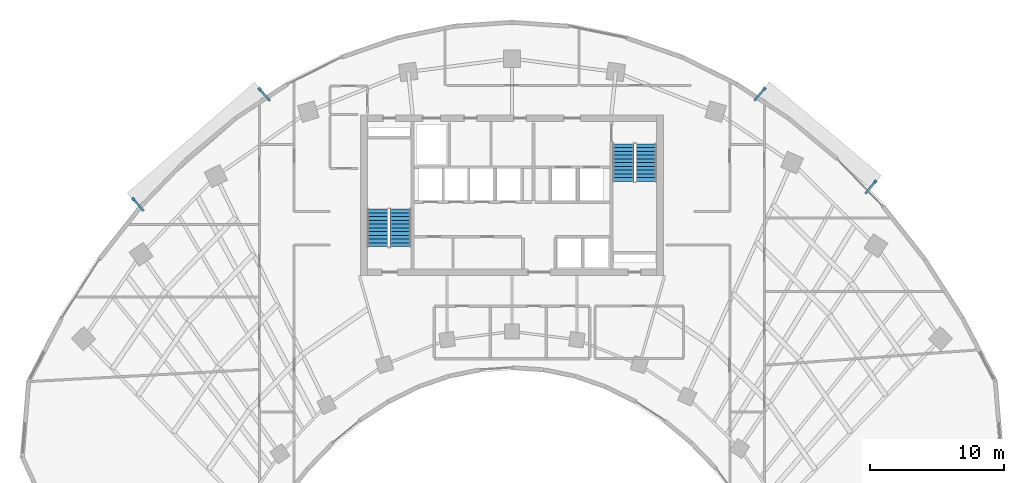
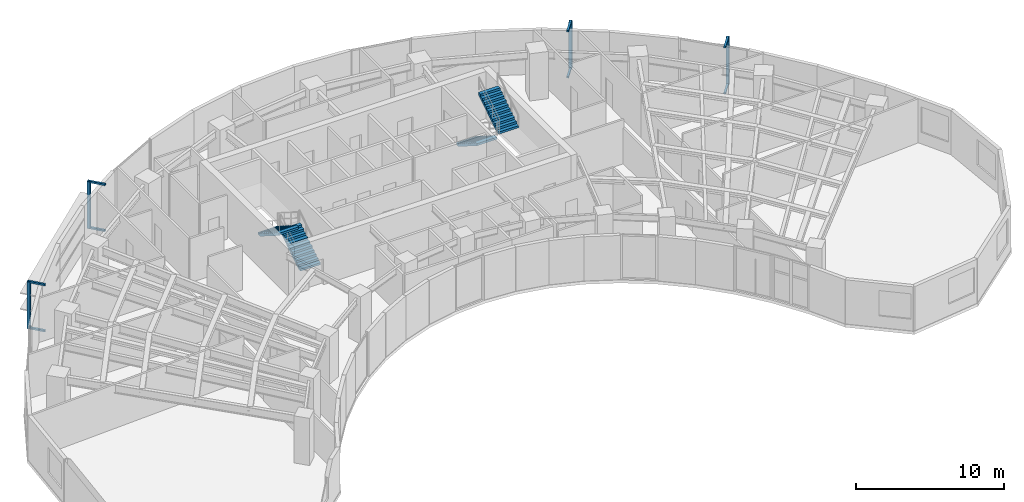
# One storey, part 12 of 14: 12 discrete accessories, 4 stair flights, 2 elements without a shape of their own.
"""IFC4 building model written with IfcOpenShell, lengths in metres."""

import ifcopenshell
import ifcopenshell.guid

model = None  # the IFC model being written
_history = None  # IfcOwnerHistory: only IFC2X3 demands one
_inside = {}  # id of a spatial element -> (the spatial element, [elements in it])
_under = {}  # id of a project, library or spatial element -> (it, [spatial elements below it])
_declared = {}  # id of a project -> (the project, [libraries it declares])
_typed = {}  # id of a type object -> (the type object, [elements of that type])
_made_of = {}  # id of a material, layer set ... -> (it, [elements and type objects made of it])


def new_model(schema):
    """Start an empty IFC model of exactly this schema.

    Asked for "IFC4X3", IfcOpenShell would pick the latest addendum, in which some entities
    have other attributes; the version numbers below select the first issue.
    IFC2X3 requires an IfcOwnerHistory on every rooted entity: one is made here for all.
    """
    global model, _history
    if schema == "IFC4X3":
        model = ifcopenshell.file(schema_version=(4, 3, 0, 0))
    else:
        model = ifcopenshell.file(schema=schema)
    _inside.clear()
    _under.clear()
    _declared.clear()
    _typed.clear()
    _made_of.clear()
    _history = None
    if model.schema == "IFC2X3":
        org = make("IfcOrganization", Name="unknown")
        user = make(
            "IfcPersonAndOrganization",
            ThePerson=make("IfcPerson", FamilyName="unknown"),
            TheOrganization=org,
        )
        app = make(
            "IfcApplication",
            ApplicationDeveloper=org,
            Version="unknown",
            ApplicationFullName="unknown",
            ApplicationIdentifier="unknown",
        )
        _history = make(
            "IfcOwnerHistory",
            OwningUser=user,
            OwningApplication=app,
            ChangeAction="ADDED",
            CreationDate=0,
        )
    return model


def make(cls, **values):
    """One entity of the class cls with the attributes given. An attribute that is None is left unset."""
    return model.create_entity(
        cls, **{name: value for name, value in values.items() if value is not None}
    )


def rooted(cls, **values):
    """An entity with a GlobalId (a new one), such as an element, a storey or a relation."""
    return make(cls, GlobalId=ifcopenshell.guid.new(), OwnerHistory=_history, **values)


def si_unit(unit_type, name, prefix=None):
    """IfcSIUnit, for example si_unit("LENGTHUNIT", "METRE", prefix="MILLI")."""
    return make("IfcSIUnit", UnitType=unit_type, Prefix=prefix, Name=name)


def assignment(units):
    """IfcUnitAssignment: the units of a project."""
    return None if units is None else make("IfcUnitAssignment", Units=units)


def point(xyz):
    """IfcCartesianPoint."""
    return None if xyz is None else make("IfcCartesianPoint", Coordinates=xyz)


def direction(xyz):
    """IfcDirection."""
    return None if xyz is None else make("IfcDirection", DirectionRatios=xyz)


def frame(location, z_axis=None, x_axis=None):
    """IfcAxis2Placement3D, a coordinate frame: its origin and axes. An axis left out is left unset."""
    return make(
        "IfcAxis2Placement3D",
        Location=point(location),
        Axis=direction(z_axis),
        RefDirection=direction(x_axis),
    )


def frame_2d(location, x_axis=None):
    """IfcAxis2Placement2D, a coordinate frame in the plane: its origin and x axis."""
    return make(
        "IfcAxis2Placement2D", Location=point(location), RefDirection=direction(x_axis)
    )


def origin():
    """The frame at (0, 0, 0) with its axes left unset."""
    return frame((0.0, 0.0, 0.0))


def origin_2d():
    """The frame at (0, 0) in the plane with its x axis left unset."""
    return frame_2d((0.0, 0.0))


def place(relative_to, where):
    """IfcLocalPlacement: puts the frame where relative to a parent placement (None: the world)."""
    return make(
        "IfcLocalPlacement", PlacementRelTo=relative_to, RelativePlacement=where
    )


def context(
    kind, dimensions, precision=None, world=None, true_north=None, identifier=None
):
    """IfcGeometricRepresentationContext, for example the 3D "Model" context."""
    return make(
        "IfcGeometricRepresentationContext",
        ContextIdentifier=identifier,
        ContextType=kind,
        CoordinateSpaceDimension=dimensions,
        Precision=precision,
        WorldCoordinateSystem=world,
        TrueNorth=true_north,
    )


def subcontext(parent, identifier, kind, view, scale=None):
    """IfcGeometricRepresentationSubContext, for example "Body" below "Model"."""
    return make(
        "IfcGeometricRepresentationSubContext",
        ContextIdentifier=identifier,
        ContextType=kind,
        ParentContext=parent,
        TargetScale=scale,
        TargetView=view,
    )


def project(units=None, contexts=None):
    """IfcProject with its units and contexts."""
    return rooted(
        "IfcProject",
        Name="project",
        RepresentationContexts=contexts,
        UnitsInContext=assignment(units),
    )


def spatial(cls, under=None, at=None, **own):
    """A site, building, storey or space (cls), placed at a placement, below another one or the project."""
    s = rooted(cls, ObjectPlacement=at, **own)
    if under is not None:
        _under.setdefault(under.id(), (under, []))[1].append(s)
    return s


def polyline(points):
    """IfcPolyline through the points."""
    return make("IfcPolyline", Points=[point(p) for p in points])


def profile(cls, at=None, kind="AREA", **sizes):
    """A parametric profile (cls). Its sizes go by their IFC names, for example OverallWidth=200.0."""
    return make(cls, ProfileType=kind, Position=at, **sizes)


def rectangle(**sizes):
    """IfcRectangleProfileDef."""
    return profile("IfcRectangleProfileDef", **sizes)


def outline(outer, holes=None, kind="AREA"):
    """IfcArbitraryClosedProfileDef: a profile drawn as a closed curve; with holes, ...WithVoids."""
    if holes is None:
        return make("IfcArbitraryClosedProfileDef", ProfileType=kind, OuterCurve=outer)
    return make(
        "IfcArbitraryProfileDefWithVoids",
        ProfileType=kind,
        OuterCurve=outer,
        InnerCurves=holes,
    )


def extrude(swept, where, along, depth):
    """IfcExtrudedAreaSolid: the profile swept, set in the frame where, extruded along a direction by depth."""
    return make(
        "IfcExtrudedAreaSolid",
        SweptArea=swept,
        Position=where,
        ExtrudedDirection=direction(along),
        Depth=depth,
    )


def shape(context_of_items, identifier, shape_type, items):
    """IfcShapeRepresentation: the items that make up one representation, for example the "Body"."""
    return make(
        "IfcShapeRepresentation",
        ContextOfItems=context_of_items,
        RepresentationIdentifier=identifier,
        RepresentationType=shape_type,
        Items=items,
    )


def source(mapping_origin, context_of_items, identifier, shape_type, items):
    """IfcRepresentationMap: a shape defined once, which mapped items show again and again."""
    return make(
        "IfcRepresentationMap",
        MappingOrigin=mapping_origin,
        MappedRepresentation=shape(context_of_items, identifier, shape_type, items),
    )


def transform(
    local_origin,
    x_axis=None,
    y_axis=None,
    z_axis=None,
    scale=None,
    scale2=None,
    scale3=None,
    uniform=True,
):
    """IfcCartesianTransformationOperator3D, or its non-uniform kind. x_axis, y_axis, z_axis: its Axis1, 2, 3."""
    if uniform:
        return make(
            "IfcCartesianTransformationOperator3D",
            Axis1=direction(x_axis),
            Axis2=direction(y_axis),
            LocalOrigin=point(local_origin),
            Scale=scale,
            Axis3=direction(z_axis),
        )
    return make(
        "IfcCartesianTransformationOperator3DnonUniform",
        Axis1=direction(x_axis),
        Axis2=direction(y_axis),
        LocalOrigin=point(local_origin),
        Scale=scale,
        Axis3=direction(z_axis),
        Scale2=scale2,
        Scale3=scale3,
    )


def mapped(mapping_source, mapping_target):
    """IfcMappedItem: shows the shape of a source again, moved by a transform."""
    return make(
        "IfcMappedItem", MappingSource=mapping_source, MappingTarget=mapping_target
    )


def material(Name=None, Category=None):
    """IfcMaterial."""
    return make("IfcMaterial", Name=Name, Category=Category)


def made_of(thing, what):
    """Note that an element or type object is made of a material, layer set ...; save() writes the relation."""
    if what is not None:
        _made_of.setdefault(what.id(), (what, []))[1].append(thing)
    return thing


def type_object(cls, material=None, **own):
    """A type object (cls), such as IfcWallType, which elements share."""
    return made_of(rooted(cls, **own), material)


def type_shapes(of_type, sources):
    """Give a type object the sources (RepresentationMaps) that its elements show as mapped items."""
    of_type.RepresentationMaps = sources


def element(
    cls,
    number,
    at=None,
    inside=None,
    cuts=None,
    type_object=None,
    material=None,
    context=None,
    identifier="Body",
    shape_type=None,
    held_by="IfcProductDefinitionShape",
    body=None,
    shapes=None,
    **own,
):
    """One element of the class cls, such as IfcWall. Its Tag is "e" and its number.

    at: its placement. inside: the storey or other place that contains it. cuts: it is an
    opening in that element (IfcRelVoidsElement). A single representation is given by context,
    identifier, shape_type and body (its items); several are given by shapes. held_by: the class
    of the entity that holds the representations. save() writes the other relations.
    """
    e = rooted(cls, Tag="e%d" % number, ObjectPlacement=at, **own)
    if body is not None:
        shapes = [shape(context, identifier, shape_type, body)]
    if shapes is not None:
        e.Representation = make(held_by, Representations=shapes)
    if inside is not None:
        _inside.setdefault(inside.id(), (inside, []))[1].append(e)
    if cuts is not None:
        rooted(
            "IfcRelVoidsElement", RelatingBuildingElement=cuts, RelatedOpeningElement=e
        )
    if type_object is not None:
        _typed.setdefault(type_object.id(), (type_object, []))[1].append(e)
    return made_of(e, material)


def aggregate(whole, parts):
    """IfcRelAggregates: a whole, such as a stair, and the parts it consists of."""
    return rooted("IfcRelAggregates", RelatingObject=whole, RelatedObjects=parts)


def save(model, path):
    """Write the relations noted so far, then the file.

    IfcRelAggregates (storeys below a building ...), IfcRelContainedInSpatialStructure (elements
    in a storey), IfcRelDefinesByType, IfcRelAssociatesMaterial and IfcRelDeclares: one each for
    every whole, place, type object, material and project.
    """
    for whole, parts in _under.values():
        aggregate(whole, parts)
    for where, things in _inside.values():
        rooted(
            "IfcRelContainedInSpatialStructure",
            RelatedElements=things,
            RelatingStructure=where,
        )
    for kind, things in _typed.values():
        rooted("IfcRelDefinesByType", RelatedObjects=things, RelatingType=kind)
    for what, things in _made_of.values():
        rooted("IfcRelAssociatesMaterial", RelatedObjects=things, RelatingMaterial=what)
    for by, libraries in _declared.values():
        rooted("IfcRelDeclares", RelatingContext=by, RelatedDefinitions=libraries)
    model.write(path)


model = new_model("IFC4")

# Units and contexts
model_context = context("Model", 3, precision=1e-05, world=origin(), true_north=direction((0.0, 1.0)))
body_context = subcontext(model_context, "Body", "Model", "MODEL_VIEW")
ifc_project = project(units=[si_unit("LENGTHUNIT", "METRE"), si_unit("AREAUNIT", "SQUARE_METRE"), si_unit("VOLUMEUNIT", "CUBIC_METRE"), si_unit("PLANEANGLEUNIT", "RADIAN"), si_unit("MASSUNIT", "GRAM", prefix="KILO")], contexts=[model_context])

# Site, building, storey
site_placement = place(None, origin())
site = spatial("IfcSite", under=ifc_project, at=site_placement, CompositionType="ELEMENT")
building_placement = place(site_placement, origin())
building = spatial("IfcBuilding", under=site, at=building_placement, Name="Breltana Convention Tower", CompositionType="ELEMENT")
storey_placement = place(building_placement, frame((0.0, 0.0, 103.800048828125)))
storey = spatial("IfcBuildingStorey", under=building, at=storey_placement, Name="L24", CompositionType="ELEMENT", Elevation=103.800048828125)

# Stair, stair flights
ifc_material_1 = material(Name="Concrete C40/50", Category="concrete")
stair_type = type_object("IfcStairType", Name="ST-DOG-1560-R177", PredefinedType="HALF_TURN_STAIR", material=ifc_material_1)
stair_1_placement = place(storey_placement, origin())
stair_1 = element("IfcStair", 1, at=stair_1_placement, inside=storey, type_object=stair_type, Name="L24 Protected Core Exit Stair ST-1", PredefinedType="HALF_TURN_STAIR")
stair_flight_type = type_object("IfcStairFlightType", Name="STF-DOG-1560-N11-R177", PredefinedType="STRAIGHT", material=ifc_material_1)
stair_flight_1_placement = place(storey_placement, frame((39.68994140625, 62.360107421875, 0.0), z_axis=(0.0, 0.0, 1.0), x_axis=(0.0, 1.0, 0.0)))
stair_flight_1 = element("IfcStairFlight", 2, at=stair_flight_1_placement, type_object=stair_flight_type, Name="ST-1 flight 1", NumberOfRisers=11, NumberOfTreads=10, PredefinedType="STRAIGHT", RiserHeight=0.177272727, TreadLength=0.28, context=body_context, shape_type="SweptSolid", body=[
    extrude(outline(polyline([(0.0, 0.0), (0.0, 0.17724609375), (0.280029296875, 0.17724609375), (0.280029296875, 0.3544921875), (0.56005859375, 0.3544921875), (0.56005859375, 0.53173828125), (0.840087890625, 0.53173828125), (0.840087890625, 0.708984375), (1.1201171875, 0.708984375), (1.1201171875, 0.886474609375), (1.39990234375, 0.886474609375), (1.39990234375, 1.063720703125), (1.679931640625, 1.063720703125), (1.679931640625, 1.240966796875), (1.9599609375, 1.240966796875), (1.9599609375, 1.418212890625), (2.239990234375, 1.418212890625), (2.239990234375, 1.595458984375), (2.52001953125, 1.595458984375), (2.52001953125, 1.772705078125), (2.800048828125, 1.772705078125), (2.800048828125, 1.949951171875), (2.800048828125, 1.59521484375), (0.2802734375, 0.0), (0.0, 0.0)])), frame((0.0, 0.780029296875, 0.0), z_axis=(0.0, -1.0, 0.0), x_axis=(1.0, 0.0, 0.0)), (0.0, 0.0, 1.0), 1.56005859375),
])
stair_flight_2_placement = place(storey_placement, frame((37.97998046875, 65.159912109375, 1.949951171875), z_axis=(0.0, 0.0, 1.0), x_axis=(0.0, -1.0, 0.0)))
stair_flight_2 = element("IfcStairFlight", 3, at=stair_flight_2_placement, type_object=stair_flight_type, Name="ST-1 flight 2", NumberOfRisers=11, NumberOfTreads=10, PredefinedType="STRAIGHT", RiserHeight=0.177272727, TreadLength=0.28, context=body_context, shape_type="SweptSolid", body=[
    extrude(outline(polyline([(0.0, 0.0), (0.0, 0.17724609375), (0.280029296875, 0.17724609375), (0.280029296875, 0.3544921875), (0.56005859375, 0.3544921875), (0.56005859375, 0.53173828125), (0.840087890625, 0.53173828125), (0.840087890625, 0.708984375), (1.1201171875, 0.708984375), (1.1201171875, 0.886474609375), (1.39990234375, 0.886474609375), (1.39990234375, 1.063720703125), (1.679931640625, 1.063720703125), (1.679931640625, 1.240966796875), (1.9599609375, 1.240966796875), (1.9599609375, 1.418212890625), (2.239990234375, 1.418212890625), (2.239990234375, 1.595458984375), (2.52001953125, 1.595458984375), (2.52001953125, 1.772705078125), (2.800048828125, 1.772705078125), (2.800048828125, 1.949951171875), (2.800048828125, 1.59521484375), (0.2802734375, 0.0), (0.0, 0.0)])), frame((0.0, 0.780029296875, 0.0), z_axis=(0.0, -1.0, 0.0), x_axis=(1.0, 0.0, 0.0)), (0.0, 0.0, 1.0), 1.56005859375),
])
aggregate(stair_1, [stair_flight_1, stair_flight_2])

stair_2_placement = place(storey_placement, origin())
stair_2 = element("IfcStair", 4, at=stair_2_placement, inside=storey, type_object=stair_type, Name="L24 Protected Core Exit Stair ST-2", PredefinedType="HALF_TURN_STAIR")
stair_flight_3_placement = place(storey_placement, frame((56.31005859375, 70.0400390625, 0.0), z_axis=(0.0, 0.0, 1.0), x_axis=(0.0, -1.0, 0.0)))
stair_flight_3 = element("IfcStairFlight", 5, at=stair_flight_3_placement, type_object=stair_flight_type, Name="ST-2 flight 1", NumberOfRisers=11, NumberOfTreads=10, PredefinedType="STRAIGHT", RiserHeight=0.177272727, TreadLength=0.28, context=body_context, shape_type="SweptSolid", body=[
    extrude(outline(polyline([(0.0, 0.0), (0.0, 0.17724609375), (0.280029296875, 0.17724609375), (0.280029296875, 0.3544921875), (0.56005859375, 0.3544921875), (0.56005859375, 0.53173828125), (0.840087890625, 0.53173828125), (0.840087890625, 0.708984375), (1.1201171875, 0.708984375), (1.1201171875, 0.886474609375), (1.39990234375, 0.886474609375), (1.39990234375, 1.063720703125), (1.679931640625, 1.063720703125), (1.679931640625, 1.240966796875), (1.9599609375, 1.240966796875), (1.9599609375, 1.418212890625), (2.239990234375, 1.418212890625), (2.239990234375, 1.595458984375), (2.52001953125, 1.595458984375), (2.52001953125, 1.772705078125), (2.800048828125, 1.772705078125), (2.800048828125, 1.949951171875), (2.800048828125, 1.59521484375), (0.2802734375, 0.0), (0.0, 0.0)])), frame((0.0, 0.780029296875, 0.0), z_axis=(0.0, -1.0, 0.0), x_axis=(1.0, 0.0, 0.0)), (0.0, 0.0, 1.0), 1.56005859375),
])
stair_flight_4_placement = place(storey_placement, frame((58.02001953125, 67.239990234375, 1.949951171875), z_axis=(0.0, 0.0, 1.0), x_axis=(0.0, 1.0, 0.0)))
stair_flight_4 = element("IfcStairFlight", 6, at=stair_flight_4_placement, type_object=stair_flight_type, Name="ST-2 flight 2", NumberOfRisers=11, NumberOfTreads=10, PredefinedType="STRAIGHT", RiserHeight=0.177272727, TreadLength=0.28, context=body_context, shape_type="SweptSolid", body=[
    extrude(outline(polyline([(0.0, 0.0), (0.0, 0.17724609375), (0.280029296875, 0.17724609375), (0.280029296875, 0.3544921875), (0.56005859375, 0.3544921875), (0.56005859375, 0.53173828125), (0.840087890625, 0.53173828125), (0.840087890625, 0.708984375), (1.1201171875, 0.708984375), (1.1201171875, 0.886474609375), (1.39990234375, 0.886474609375), (1.39990234375, 1.063720703125), (1.679931640625, 1.063720703125), (1.679931640625, 1.240966796875), (1.9599609375, 1.240966796875), (1.9599609375, 1.418212890625), (2.239990234375, 1.418212890625), (2.239990234375, 1.595458984375), (2.52001953125, 1.595458984375), (2.52001953125, 1.772705078125), (2.800048828125, 1.772705078125), (2.800048828125, 1.949951171875), (2.800048828125, 1.59521484375), (0.2802734375, 0.0), (0.0, 0.0)])), frame((0.0, 0.780029296875, 0.0), z_axis=(0.0, -1.0, 0.0), x_axis=(1.0, 0.0, 0.0)), (0.0, 0.0, 1.0), 1.56005859375),
])
aggregate(stair_2, [stair_flight_3, stair_flight_4])

# Discrete accessories
ifc_material_2 = material(Name="Steel S355", Category="steel")
discrete_accessory_type_1 = type_object("IfcDiscreteAccessoryType", Name="ACC-DSF-BRACKET-150", PredefinedType="BRACKET", material=ifc_material_2)
shared_shape_1 = source(origin(), body_context, "Body", "SweptSolid", [
    extrude(rectangle(XDim=1.239990234375, YDim=0.14990234375, at=origin_2d()), origin(), (0.0, 0.0, 1.0), 0.139892578125),
])
type_shapes(discrete_accessory_type_1, [shared_shape_1])
for number, where, z_axis, x_axis, name in (
    (7, (20.080322265625, 65.49853515625, -0.16015625), (0.0, 0.0, 1.0), (-0.656454255701, 0.754365833115, 0.0), "L24 double-skin slab stand-off bracket 1.1B"),
    (8, (20.080322265625, 65.49853515625, 3.64990234375), (0.0, 0.0, 1.0), (-0.656454255701, 0.754365833115, 0.0), "L24 double-skin slab stand-off bracket 1.1T"),
    (9, (29.520751953125, 73.713623046875, -0.16015625), (0.0, 0.0, 1.0), (-0.656454255701, 0.754365833115, 0.0), "L24 double-skin slab stand-off bracket 1.2B"),
    (10, (29.520751953125, 73.713623046875, 3.64990234375), (0.0, 0.0, 1.0), (-0.656454255701, 0.754365833115, 0.0), "L24 double-skin slab stand-off bracket 1.2T"),
    (11, (66.487060546875, 73.735595703125, -0.16015625), (0.0, 0.0, 1.0), (0.641987488939, 0.766715112702, 0.0), "L24 double-skin slab stand-off bracket 2.1B"),
    (12, (66.487060546875, 73.735595703125, 3.64990234375), (0.0, 0.0, 1.0), (0.641987488939, 0.766715112702, 0.0), "L24 double-skin slab stand-off bracket 2.1T"),
    (13, (74.777099609375, 66.794189453125, -0.16015625), (0.0, 0.0, 1.0), (0.641987488939, 0.766715112702, 0.0), "L24 double-skin slab stand-off bracket 2.2B"),
    (14, (74.777099609375, 66.794189453125, 3.64990234375), (0.0, 0.0, 1.0), (0.641987488939, 0.766715112702, 0.0), "L24 double-skin slab stand-off bracket 2.2T"),
):
    element("IfcDiscreteAccessory", number, at=place(storey_placement, frame(where, z_axis=z_axis, x_axis=x_axis)), inside=storey, type_object=discrete_accessory_type_1, Name=name, PredefinedType="BRACKET", context=body_context, shape_type="MappedRepresentation", body=[
        mapped(shared_shape_1, transform((0.0, 0.0, 0.0), scale=1.0)),
    ])
discrete_accessory_type_2 = type_object("IfcDiscreteAccessoryType", Name="ACC-DSF-CARRIER-150", PredefinedType="BRACKET", material=ifc_material_2)
shared_shape_2 = source(origin(), body_context, "Body", "SweptSolid", [
    extrude(rectangle(XDim=0.219970703125, YDim=0.219970703125, at=origin_2d()), origin(), (0.0, 0.0, 1.0), 3.8701171875),
])
for number, where, z_axis, x_axis, name in (
    (15, (19.712646484375, 65.9208984375, -0.1201171875), (0.0, 0.0, 1.0), (-0.656454255701, 0.754365833115, 0.0), "L24 double-skin outer vertical carrier 1.1"),
    (16, (29.153076171875, 74.135986328125, -0.1201171875), (0.0, 0.0, 1.0), (-0.656454255701, 0.754365833115, 0.0), "L24 double-skin outer vertical carrier 1.2"),
    (17, (66.8466796875, 74.1650390625, -0.1201171875), (0.0, 0.0, 1.0), (0.641987488939, 0.766715112702, 0.0), "L24 double-skin outer vertical carrier 2.1"),
    (18, (75.13671875, 67.2236328125, -0.1201171875), (0.0, 0.0, 1.0), (0.641987488939, 0.766715112702, 0.0), "L24 double-skin outer vertical carrier 2.2"),
):
    element("IfcDiscreteAccessory", number, at=place(storey_placement, frame(where, z_axis=z_axis, x_axis=x_axis)), inside=storey, type_object=discrete_accessory_type_2, Name=name, PredefinedType="BRACKET", context=body_context, shape_type="MappedRepresentation", body=[
        mapped(shared_shape_2, transform((0.0, 0.0, 0.0), scale=1.0)),
    ])

save(model, "model.ifc")
